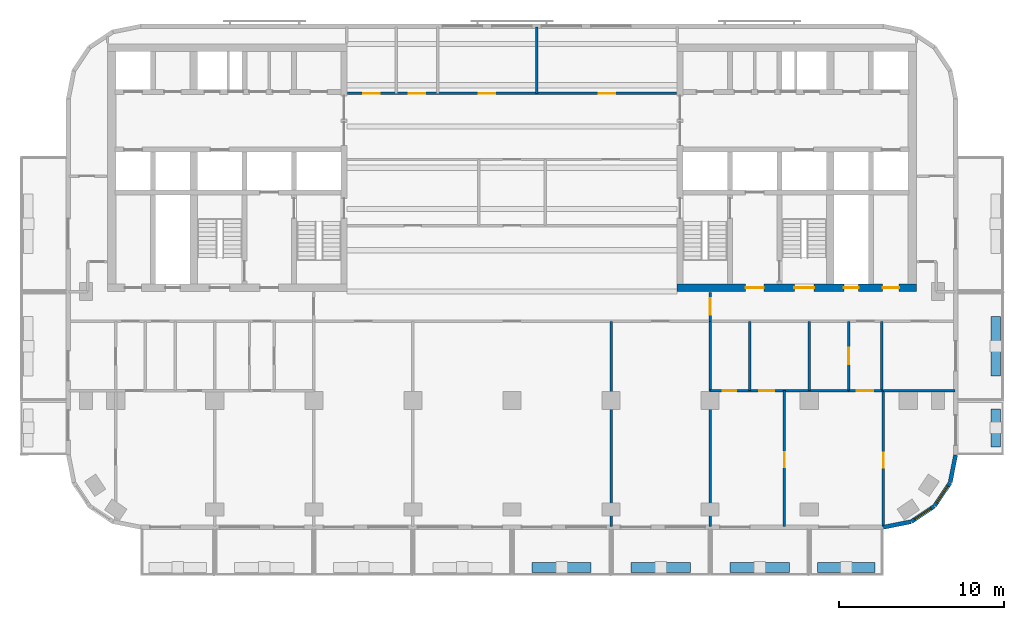
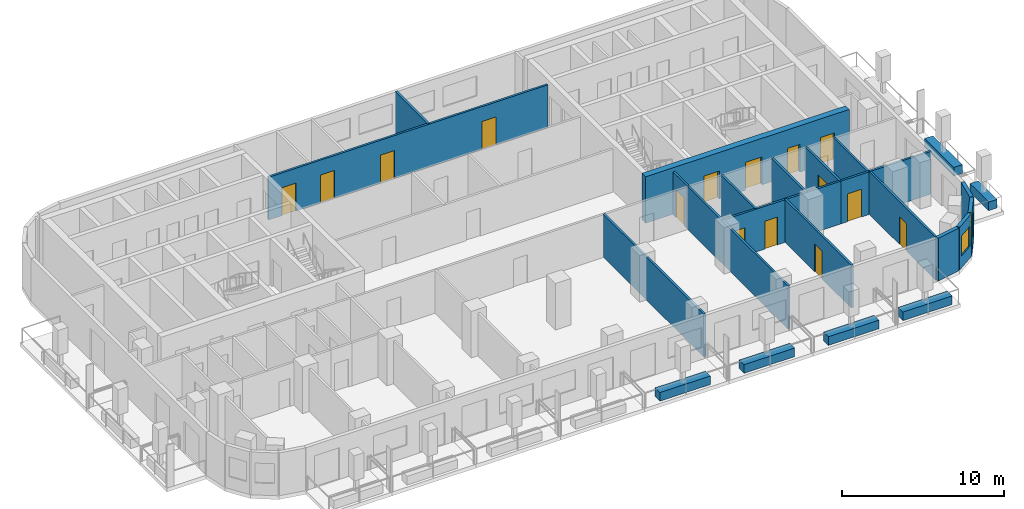
# One storey, part 5 of 11: 25 walls, 15 doors, 2 windows, 17 openings.
"""IFC4 building model written with IfcOpenShell, lengths in metres."""

from ifc_helpers import new_model, si_unit, direction, frame, frame_2d, origin, place, context, subcontext, project, spatial, rectangle, extrude, material, layer, layer_set, type_object, element, fill, save


model = new_model("IFC4")

# Units and contexts
model_context = context("Model", 3, precision=1e-05, world=origin(), true_north=direction((0.0, 1.0)))
body_context = subcontext(model_context, "Body", "Model", "MODEL_VIEW")
ifc_project = project(units=[si_unit("LENGTHUNIT", "METRE"), si_unit("AREAUNIT", "SQUARE_METRE"), si_unit("VOLUMEUNIT", "CUBIC_METRE"), si_unit("PLANEANGLEUNIT", "RADIAN"), si_unit("MASSUNIT", "GRAM", prefix="KILO")], contexts=[model_context])

# Site, building, storey
site_placement = place(None, origin())
site = spatial("IfcSite", under=ifc_project, at=site_placement, CompositionType="ELEMENT")
building_placement = place(site_placement, origin())
building = spatial("IfcBuilding", under=site, at=building_placement, Name="Torana Hotel and Residences", CompositionType="ELEMENT")
storey_placement = place(building_placement, frame((0.0, 0.0, 215.10009765625)))
storey = spatial("IfcBuildingStorey", under=building, at=storey_placement, Name="L56", CompositionType="ELEMENT", Elevation=215.10009765625)

# Wall, openings, doors
ifc_material_1 = material(Name="Concrete C70/85", Category="concrete")
ifc_layer_1 = layer(ifc_material_1, 0.449951171875)
ifc_layer_set_1 = layer_set([ifc_layer_1], Name="CORE WALL 450 C70/85")
wall_type_1 = type_object("IfcWallType", Name="CORE WALL 450 C70/85", PredefinedType="SHEAR", material=ifc_layer_set_1)
wall_1_placement = place(storey_placement, frame((10.0, -14.77490234375, 0.0), z_axis=(0.0, 0.0, 1.0), x_axis=(1.0, 0.0, 0.0)))
wall_1 = element("IfcWall", 1, at=wall_1_placement, inside=storey, type_object=wall_type_1, Name="Core wall E front", PredefinedType="SHEAR", context=body_context, shape_type="SweptSolid", body=[
    extrude(rectangle(XDim=14.5, YDim=0.449951171875, at=frame_2d((7.25, 0.0))), origin(), (0.0, 0.0, 1.0), 3.5),
])
opening_1_placement = place(wall_1_placement, frame((7.10009765625, 0.0, 0.0)))
opening_1 = element("IfcOpeningElement", 2, at=opening_1_placement, cuts=wall_1, Name="Opening L56-19", PredefinedType="OPENING", context=body_context, shape_type="SweptSolid", body=[
    extrude(rectangle(XDim=1.199951171875, YDim=2.10009765625, at=frame_2d((0.60009765625, 1.050048828125))), frame((0.0, 0.23486328125, 0.0), z_axis=(0.0, -1.0, 0.0), x_axis=(1.0, 0.0, 0.0)), (0.0, 0.0, 1.0), 0.469970703125),
])
opening_2_placement = place(wall_1_placement, frame((4.14990234375, 0.0, 0.0)))
opening_2 = element("IfcOpeningElement", 3, at=opening_2_placement, cuts=wall_1, Name="Opening L56-20", PredefinedType="OPENING", context=body_context, shape_type="SweptSolid", body=[
    extrude(rectangle(XDim=1.10009765625, YDim=2.10009765625, at=frame_2d((0.550048828125, 1.050048828125))), frame((0.0, 0.23486328125, 0.0), z_axis=(0.0, -1.0, 0.0), x_axis=(1.0, 0.0, 0.0)), (0.0, 0.0, 1.0), 0.469970703125),
])
opening_3_placement = place(wall_1_placement, frame((10.10009765625, 0.0, 0.0)))
opening_3 = element("IfcOpeningElement", 4, at=opening_3_placement, cuts=wall_1, Name="Opening L56-21", PredefinedType="OPENING", context=body_context, shape_type="SweptSolid", body=[
    extrude(rectangle(XDim=0.89990234375, YDim=2.10009765625, at=frame_2d((0.449951171875, 1.050048828125))), frame((0.0, 0.23486328125, 0.0), z_axis=(0.0, -1.0, 0.0), x_axis=(1.0, 0.0, 0.0)), (0.0, 0.0, 1.0), 0.469970703125),
])
opening_4_placement = place(wall_1_placement, frame((12.449951171875, 0.0, 0.0)))
opening_4 = element("IfcOpeningElement", 5, at=opening_4_placement, cuts=wall_1, Name="Opening L56-22", PredefinedType="OPENING", context=body_context, shape_type="SweptSolid", body=[
    extrude(rectangle(XDim=1.0, YDim=2.10009765625, at=frame_2d((0.5, 1.050048828125))), frame((0.0, 0.23486328125, 0.0), z_axis=(0.0, -1.0, 0.0), x_axis=(1.0, 0.0, 0.0)), (0.0, 0.0, 1.0), 0.469970703125),
])
ifc_material_2 = material(Name="Steel S235", Category="steel")
door_type_1 = type_object("IfcDoorType", Name="CORE ROOM FIRE DOOR D14 1000x2100", OperationType="SINGLE_SWING_LEFT", PredefinedType="DOOR", material=ifc_material_2)
door_1_placement = place(opening_4_placement, origin())
door_1 = element("IfcDoor", 6, at=door_1_placement, inside=storey, type_object=door_type_1, Name="M-Room door L56", OperationType="SINGLE_SWING_RIGHT", OverallHeight=2.10009765625, OverallWidth=1.0, PredefinedType="DOOR", context=body_context, shape_type="SweptSolid", body=[
    extrude(rectangle(XDim=1.0, YDim=2.10009765625, at=frame_2d((0.5, 1.050048828125))), frame((0.0, 0.02490234375, 0.0), z_axis=(0.0, -1.0, 0.0), x_axis=(1.0, 0.0, 0.0)), (0.0, 0.0, 1.0), 0.050048828125),
])
fill(opening_4, door_1)
ifc_material_3 = material(Name="Steel S235", Category="steel")
door_type_2 = type_object("IfcDoorType", Name="FIRE-FIGHTING LOBBY DOOR D8 1100x2100", OperationType="SINGLE_SWING_LEFT", PredefinedType="DOOR", material=ifc_material_3)
door_2_placement = place(opening_2_placement, origin())
door_2 = element("IfcDoor", 7, at=door_2_placement, inside=storey, type_object=door_type_2, Name="FF-lobby door L56", OperationType="SINGLE_SWING_RIGHT", OverallHeight=2.10009765625, OverallWidth=1.10009765625, PredefinedType="DOOR", context=body_context, shape_type="SweptSolid", body=[
    extrude(rectangle(XDim=1.10009765625, YDim=2.10009765625, at=frame_2d((0.550048828125, 1.050048828125))), frame((0.0, 0.02490234375, 0.0), z_axis=(0.0, -1.0, 0.0), x_axis=(1.0, 0.0, 0.0)), (0.0, 0.0, 1.0), 0.050048828125),
])
fill(opening_2, door_2)
ifc_material_4 = material(Name="Steel S235", Category="steel")
door_type_3 = type_object("IfcDoorType", Name="RISER ACCESS DOOR D5 900x2100", OperationType="SINGLE_SWING_LEFT", PredefinedType="DOOR", material=ifc_material_4)
door_3_placement = place(opening_3_placement, origin())
door_3 = element("IfcDoor", 8, at=door_3_placement, inside=storey, type_object=door_type_3, Name="M-Riser door L56", OperationType="SINGLE_SWING_RIGHT", OverallHeight=2.10009765625, OverallWidth=0.89990234375, PredefinedType="DOOR", context=body_context, shape_type="SweptSolid", body=[
    extrude(rectangle(XDim=0.89990234375, YDim=2.10009765625, at=frame_2d((0.449951171875, 1.050048828125))), frame((0.0, 0.02490234375, 0.0), z_axis=(0.0, -1.0, 0.0), x_axis=(1.0, 0.0, 0.0)), (0.0, 0.0, 1.0), 0.050048828125),
])
fill(opening_3, door_3)
ifc_material_5 = material(Name="Steel S235", Category="steel")
door_type_4 = type_object("IfcDoorType", Name="STAIR FIRE DOOR D3 1200x2100", OperationType="SINGLE_SWING_LEFT", PredefinedType="DOOR", material=ifc_material_5)
door_4_placement = place(opening_1_placement, origin())
door_4 = element("IfcDoor", 9, at=door_4_placement, inside=storey, type_object=door_type_4, Name="Stair-B door L56", OperationType="SINGLE_SWING_RIGHT", OverallHeight=2.10009765625, OverallWidth=1.199951171875, PredefinedType="DOOR", context=body_context, shape_type="SweptSolid", body=[
    extrude(rectangle(XDim=1.199951171875, YDim=2.10009765625, at=frame_2d((0.60009765625, 1.050048828125))), frame((0.0, 0.02490234375, 0.0), z_axis=(0.0, -1.0, 0.0), x_axis=(1.0, 0.0, 0.0)), (0.0, 0.0, 1.0), 0.050048828125),
])
fill(opening_1, door_4)

# Wall
ifc_material_6 = material(Name="Black aluminium composite panel", Category="aluminium")
ifc_layer_2 = layer(ifc_material_6, 0.00390625, Name="Cladding", Category="cladding")
ifc_material_7 = material(Name="Ventilated air cavity")
ifc_layer_3 = layer(ifc_material_7, 0.0400390625, Name="Ventilated cavity", Category="cavity")
ifc_material_8 = material(Name="Mineral wool insulation")
ifc_layer_4 = layer(ifc_material_8, 0.090087890625, Name="Insulation", Category="insulation")
ifc_material_9 = material(Name="Steel S280GD", Category="steel")
ifc_layer_5 = layer(ifc_material_9, 0.092041015625, Name="Steel stud frame", Category="structure")
ifc_material_10 = material(Name="Fire rated plasterboard")
ifc_layer_6 = layer(ifc_material_10, 0.011962890625, Name="Inner board", Category="finish")
ifc_layer_7 = layer(ifc_material_10, 0.011962890625, Name="Second board", Category="finish")
ifc_layer_set_2 = layer_set([ifc_layer_2, ifc_layer_3, ifc_layer_4, ifc_layer_5, ifc_layer_6, ifc_layer_7], Name="EW1 EXTERNAL WALL BLACK METAL CLAD 250")
wall_type_2 = type_object("IfcWallType", Name="EW1 EXTERNAL WALL BLACK METAL CLAD 250", PredefinedType="SOLIDWALL", material=ifc_layer_set_2)
wall_2_placement = place(storey_placement, frame((22.499755859375, -29.272705078125, 0.0), z_axis=(0.0, 0.0, 1.0), x_axis=(0.980775640221, 0.19513878023, 0.0)))
element("IfcWall", 10, at=wall_2_placement, inside=storey, type_object=wall_type_2, Name="External wall L56 e0.15", PredefinedType="SOLIDWALL", context=body_context, shape_type="SweptSolid", body=[
    extrude(rectangle(XDim=1.681396484375, YDim=0.25, at=frame_2d((0.8408203125, 0.0))), origin(), (0.0, 0.0, 1.0), 3.219970703125),
])

# Wall, opening, window
wall_3_placement = place(storey_placement, frame((24.194091796875, -28.92578125, 0.0), z_axis=(0.0, 0.0, 1.0), x_axis=(0.831482937015, 0.55555029066, 0.0)))
wall_3 = element("IfcWall", 11, at=wall_3_placement, inside=storey, type_object=wall_type_2, Name="External wall L56 e0.16", PredefinedType="SOLIDWALL", context=body_context, shape_type="SweptSolid", body=[
    extrude(rectangle(XDim=1.65625, YDim=0.25, at=frame_2d((0.828125, 0.0))), origin(), (0.0, 0.0, 1.0), 3.219970703125),
])
opening_5_placement = place(wall_3_placement, frame((0.228271484375, 0.0, 0.89990234375)))
opening_5 = element("IfcOpeningElement", 12, at=opening_5_placement, cuts=wall_3, Name="Opening W5", PredefinedType="OPENING", context=body_context, shape_type="SweptSolid", body=[
    extrude(rectangle(XDim=1.199951171875, YDim=1.5, at=frame_2d((0.60009765625, 0.75))), frame((0.0, 0.135009765625, 0.0), z_axis=(0.0, -1.0, 0.0), x_axis=(1.0, 0.0, 0.0)), (0.0, 0.0, 1.0), 0.27001953125),
])
ifc_material_11 = material(Name="Dark glass in black aluminium frame", Category="aluminium")
window_type = type_object("IfcWindowType", Name="W5 CORNER FACET WINDOW 1200x1500", PartitioningType="SINGLE_PANEL", PredefinedType="WINDOW", material=ifc_material_11)
window_1_placement = place(opening_5_placement, origin())
window_1 = element("IfcWindow", 13, at=window_1_placement, inside=storey, type_object=window_type, Name="Window L56 e0.16", OverallHeight=1.5, OverallWidth=1.199951171875, PartitioningType="SINGLE_PANEL", PredefinedType="WINDOW", context=body_context, shape_type="SweptSolid", body=[
    extrude(rectangle(XDim=1.199951171875, YDim=1.5, at=frame_2d((0.60009765625, 0.75))), frame((0.0, 0.030029296875, 0.0), z_axis=(0.0, -1.0, 0.0), x_axis=(1.0, 0.0, 0.0)), (0.0, 0.0, 1.0), 0.06005859375),
])
fill(opening_5, window_1)

wall_4_placement = place(storey_placement, frame((25.605712890625, -27.97119140625, 0.0), z_axis=(0.0, 0.0, 1.0), x_axis=(0.55555029066, 0.831482937015, 0.0)))
wall_4 = element("IfcWall", 14, at=wall_4_placement, inside=storey, type_object=wall_type_2, Name="External wall L56 e0.17", PredefinedType="SOLIDWALL", context=body_context, shape_type="SweptSolid", body=[
    extrude(rectangle(XDim=1.65625, YDim=0.25, at=frame_2d((0.828125, 0.0))), origin(), (0.0, 0.0, 1.0), 3.219970703125),
])
opening_6_placement = place(wall_4_placement, frame((0.228271484375, 0.0, 0.89990234375)))
opening_6 = element("IfcOpeningElement", 15, at=opening_6_placement, cuts=wall_4, Name="Opening W5", PredefinedType="OPENING", context=body_context, shape_type="SweptSolid", body=[
    extrude(rectangle(XDim=1.199951171875, YDim=1.5, at=frame_2d((0.60009765625, 0.75))), frame((0.0, 0.135009765625, 0.0), z_axis=(0.0, -1.0, 0.0), x_axis=(1.0, 0.0, 0.0)), (0.0, 0.0, 1.0), 0.27001953125),
])
window_2_placement = place(opening_6_placement, origin())
window_2 = element("IfcWindow", 16, at=window_2_placement, inside=storey, type_object=window_type, Name="Window L56 e0.17", OverallHeight=1.5, OverallWidth=1.199951171875, PartitioningType="SINGLE_PANEL", PredefinedType="WINDOW", context=body_context, shape_type="SweptSolid", body=[
    extrude(rectangle(XDim=1.199951171875, YDim=1.5, at=frame_2d((0.60009765625, 0.75))), frame((0.0, 0.030029296875, 0.0), z_axis=(0.0, -1.0, 0.0), x_axis=(1.0, 0.0, 0.0)), (0.0, 0.0, 1.0), 0.06005859375),
])
fill(opening_6, window_2)

# Walls
wall_5_placement = place(storey_placement, frame((26.544677734375, -26.548828125, 0.0), z_axis=(0.0, 0.0, 1.0), x_axis=(0.195026884138, 0.980797896849, 0.0)))
element("IfcWall", 17, at=wall_5_placement, inside=storey, type_object=wall_type_2, Name="External wall L56 e0.18", PredefinedType="SOLIDWALL", context=body_context, shape_type="SweptSolid", body=[
    extrude(rectangle(XDim=1.68115234375, YDim=0.25, at=frame_2d((0.840576171875, 0.0))), origin(), (0.0, 0.0, 1.0), 3.219970703125),
])
ifc_material_12 = material(Name="Gypsum plaster")
ifc_layer_8 = layer(ifc_material_12, 0.014892578125, Name="Plaster", Category="finish")
ifc_material_13 = material(Name="Concrete blockwork", Category="masonry")
ifc_layer_9 = layer(ifc_material_13, 0.1201171875, Name="Blockwork", Category="structure")
ifc_layer_10 = layer(ifc_material_12, 0.014892578125, Name="Plaster", Category="finish")
ifc_layer_set_3 = layer_set([ifc_layer_8, ifc_layer_9, ifc_layer_10], Name="FIRE PARTITION 150 BLOCKWORK")
wall_type_3 = type_object("IfcWallType", Name="FIRE PARTITION 150 BLOCKWORK", PredefinedType="PARTITIONING", material=ifc_layer_set_3)
wall_6_placement = place(storey_placement, frame((22.39990234375, -21.0, 0.0), z_axis=(0.0, 0.0, 1.0), x_axis=(0.0, 1.0, 0.0)))
element("IfcWall", 18, at=wall_6_placement, inside=storey, type_object=wall_type_3, Name="Partition L56", PredefinedType="PARTITIONING", context=body_context, shape_type="SweptSolid", body=[
    extrude(rectangle(XDim=4.199951171875, YDim=0.14990234375, at=frame_2d((2.10009765625, 0.0))), origin(), (0.0, 0.0, 1.0), 3.219970703125),
])

# Wall, opening, door
wall_7_placement = place(storey_placement, frame((20.39990234375, -21.0, 0.0), z_axis=(0.0, 0.0, 1.0), x_axis=(0.0, 1.0, 0.0)))
wall_7 = element("IfcWall", 19, at=wall_7_placement, inside=storey, type_object=wall_type_3, Name="Partition L56", PredefinedType="PARTITIONING", context=body_context, shape_type="SweptSolid", body=[
    extrude(rectangle(XDim=4.199951171875, YDim=0.14990234375, at=frame_2d((2.10009765625, 0.0))), origin(), (0.0, 0.0, 1.0), 3.219970703125),
])
opening_7_placement = place(wall_7_placement, frame((1.60009765625, 0.0, 0.0)))
opening_7 = element("IfcOpeningElement", 20, at=opening_7_placement, cuts=wall_7, Name="Opening L56-60", PredefinedType="OPENING", context=body_context, shape_type="SweptSolid", body=[
    extrude(rectangle(XDim=1.0, YDim=2.10009765625, at=frame_2d((0.5, 1.050048828125))), frame((0.0, 0.0849609375, 0.0), z_axis=(0.0, -1.0, 0.0), x_axis=(1.0, 0.0, 0.0)), (0.0, 0.0, 1.0), 0.169921875),
])
ifc_material_14 = material(Name="Steel S235", Category="steel")
door_type_5 = type_object("IfcDoorType", Name="ENTRY FIRE DOOR D6 1000x2100", OperationType="SINGLE_SWING_LEFT", PredefinedType="DOOR", material=ifc_material_14)
door_5_placement = place(opening_7_placement, origin())
door_5 = element("IfcDoor", 21, at=door_5_placement, inside=storey, type_object=door_type_5, Name="Door L56", OperationType="SINGLE_SWING_RIGHT", OverallHeight=2.10009765625, OverallWidth=1.0, PredefinedType="DOOR", context=body_context, shape_type="SweptSolid", body=[
    extrude(rectangle(XDim=1.0, YDim=2.10009765625, at=frame_2d((0.5, 1.050048828125))), frame((0.0, 0.02490234375, 0.0), z_axis=(0.0, -1.0, 0.0), x_axis=(1.0, 0.0, 0.0)), (0.0, 0.0, 1.0), 0.050048828125),
])
fill(opening_7, door_5)

wall_8_placement = place(storey_placement, frame((12.0, -16.800048828125, 0.0), z_axis=(0.0, 0.0, 1.0), x_axis=(0.0, 1.0, 0.0)))
wall_8 = element("IfcWall", 22, at=wall_8_placement, inside=storey, type_object=wall_type_3, Name="Partition L56", PredefinedType="PARTITIONING", context=body_context, shape_type="SweptSolid", body=[
    extrude(rectangle(XDim=1.75, YDim=0.14990234375, at=frame_2d((0.875, 0.0))), origin(), (0.0, 0.0, 1.0), 3.219970703125),
])
opening_8_placement = place(wall_8_placement, frame((0.39990234375, 0.0, 0.0)))
opening_8 = element("IfcOpeningElement", 23, at=opening_8_placement, cuts=wall_8, Name="Opening L56-36", PredefinedType="OPENING", context=body_context, shape_type="SweptSolid", body=[
    extrude(rectangle(XDim=1.0, YDim=2.10009765625, at=frame_2d((0.5, 1.050048828125))), frame((0.0, 0.0849609375, 0.0), z_axis=(0.0, -1.0, 0.0), x_axis=(1.0, 0.0, 0.0)), (0.0, 0.0, 1.0), 0.169921875),
])
door_6_placement = place(opening_8_placement, origin())
door_6 = element("IfcDoor", 24, at=door_6_placement, inside=storey, type_object=door_type_5, Name="Door L56", OperationType="SINGLE_SWING_RIGHT", OverallHeight=2.10009765625, OverallWidth=1.0, PredefinedType="DOOR", context=body_context, shape_type="SweptSolid", body=[
    extrude(rectangle(XDim=1.0, YDim=2.10009765625, at=frame_2d((0.5, 1.050048828125))), frame((0.0, 0.02490234375, 0.0), z_axis=(0.0, -1.0, 0.0), x_axis=(1.0, 0.0, 0.0)), (0.0, 0.0, 1.0), 0.050048828125),
])
fill(opening_8, door_6)

wall_9_placement = place(storey_placement, frame((20.39990234375, -21.0, 0.0), z_axis=(0.0, 0.0, 1.0), x_axis=(1.0, 0.0, 0.0)))
wall_9 = element("IfcWall", 25, at=wall_9_placement, inside=storey, type_object=wall_type_3, Name="Partition L56", PredefinedType="PARTITIONING", context=body_context, shape_type="SweptSolid", body=[
    extrude(rectangle(XDim=2.0, YDim=0.14990234375, at=frame_2d((1.0, 0.0))), origin(), (0.0, 0.0, 1.0), 3.219970703125),
])
opening_9_placement = place(wall_9_placement, frame((0.47998046875, 0.0, 0.0)))
opening_9 = element("IfcOpeningElement", 26, at=opening_9_placement, cuts=wall_9, Name="Opening L56-61", PredefinedType="OPENING", context=body_context, shape_type="SweptSolid", body=[
    extrude(rectangle(XDim=1.0, YDim=2.10009765625, at=frame_2d((0.5, 1.050048828125))), frame((0.0, 0.0849609375, 0.0), z_axis=(0.0, -1.0, 0.0), x_axis=(1.0, 0.0, 0.0)), (0.0, 0.0, 1.0), 0.169921875),
])
door_7_placement = place(opening_9_placement, frame((0.5, 0.0, 0.0), z_axis=(0.0, 0.0, 1.0), x_axis=(-1.0, 0.0, 0.0)))
door_7 = element("IfcDoor", 27, at=door_7_placement, inside=storey, type_object=door_type_5, Name="Door L56", OperationType="SINGLE_SWING_RIGHT", OverallHeight=2.10009765625, OverallWidth=1.0, PredefinedType="DOOR", context=body_context, shape_type="SweptSolid", body=[
    extrude(rectangle(XDim=1.0, YDim=2.10009765625, at=frame_2d((0.0, 1.050048828125))), frame((0.0, -0.02490234375, 0.0), z_axis=(0.0, 1.0, 0.0), x_axis=(-1.0, 0.0, 0.0)), (0.0, 0.0, 1.0), 0.050048828125),
])
fill(opening_9, door_7)

# Wall, openings, doors
wall_10_placement = place(storey_placement, frame((-9.949951171875, -3.0, 0.0), z_axis=(0.0, 0.0, 1.0), x_axis=(1.0, 0.0, 0.0)))
wall_10 = element("IfcWall", 28, at=wall_10_placement, inside=storey, type_object=wall_type_3, Name="Partition L56", PredefinedType="PARTITIONING", context=body_context, shape_type="SweptSolid", body=[
    extrude(rectangle(XDim=19.89990234375, YDim=0.14990234375, at=frame_2d((9.949951171875, 0.0))), origin(), (0.0, 0.0, 1.0), 3.219970703125),
])
opening_10_placement = place(wall_10_placement, frame((0.949951171875, 0.0, 0.0)))
opening_10 = element("IfcOpeningElement", 29, at=opening_10_placement, cuts=wall_10, Name="Opening L56-47", PredefinedType="OPENING", context=body_context, shape_type="SweptSolid", body=[
    extrude(rectangle(XDim=1.0, YDim=2.10009765625, at=frame_2d((0.5, 1.050048828125))), frame((0.0, 0.0849609375, 0.0), z_axis=(0.0, -1.0, 0.0), x_axis=(1.0, 0.0, 0.0)), (0.0, 0.0, 1.0), 0.169921875),
])
opening_11_placement = place(wall_10_placement, frame((3.699951171875, 0.0, 0.0)))
opening_11 = element("IfcOpeningElement", 30, at=opening_11_placement, cuts=wall_10, Name="Opening L56-48", PredefinedType="OPENING", context=body_context, shape_type="SweptSolid", body=[
    extrude(rectangle(XDim=1.0, YDim=2.10009765625, at=frame_2d((0.5, 1.050048828125))), frame((0.0, 0.0849609375, 0.0), z_axis=(0.0, -1.0, 0.0), x_axis=(1.0, 0.0, 0.0)), (0.0, 0.0, 1.0), 0.169921875),
])
opening_12_placement = place(wall_10_placement, frame((7.949951171875, 0.0, 0.0)))
opening_12 = element("IfcOpeningElement", 31, at=opening_12_placement, cuts=wall_10, Name="Opening L56-49", PredefinedType="OPENING", context=body_context, shape_type="SweptSolid", body=[
    extrude(rectangle(XDim=1.0, YDim=2.10009765625, at=frame_2d((0.5, 1.050048828125))), frame((0.0, 0.0849609375, 0.0), z_axis=(0.0, -1.0, 0.0), x_axis=(1.0, 0.0, 0.0)), (0.0, 0.0, 1.0), 0.169921875),
])
opening_13_placement = place(wall_10_placement, frame((15.199951171875, 0.0, 0.0)))
opening_13 = element("IfcOpeningElement", 32, at=opening_13_placement, cuts=wall_10, Name="Opening L56-50", PredefinedType="OPENING", context=body_context, shape_type="SweptSolid", body=[
    extrude(rectangle(XDim=1.0, YDim=2.10009765625, at=frame_2d((0.5, 1.050048828125))), frame((0.0, 0.0849609375, 0.0), z_axis=(0.0, -1.0, 0.0), x_axis=(1.0, 0.0, 0.0)), (0.0, 0.0, 1.0), 0.169921875),
])
door_8_placement = place(opening_10_placement, origin())
door_8 = element("IfcDoor", 33, at=door_8_placement, inside=storey, type_object=door_type_5, Name="Door L56", OperationType="SINGLE_SWING_RIGHT", OverallHeight=2.10009765625, OverallWidth=1.0, PredefinedType="DOOR", context=body_context, shape_type="SweptSolid", body=[
    extrude(rectangle(XDim=1.0, YDim=2.10009765625, at=frame_2d((0.5, 1.050048828125))), frame((0.0, 0.02490234375, 0.0), z_axis=(0.0, -1.0, 0.0), x_axis=(1.0, 0.0, 0.0)), (0.0, 0.0, 1.0), 0.050048828125),
])
fill(opening_10, door_8)
door_9_placement = place(opening_11_placement, origin())
door_9 = element("IfcDoor", 34, at=door_9_placement, inside=storey, type_object=door_type_5, Name="Door L56", OperationType="SINGLE_SWING_RIGHT", OverallHeight=2.10009765625, OverallWidth=1.0, PredefinedType="DOOR", context=body_context, shape_type="SweptSolid", body=[
    extrude(rectangle(XDim=1.0, YDim=2.10009765625, at=frame_2d((0.5, 1.050048828125))), frame((0.0, 0.02490234375, 0.0), z_axis=(0.0, -1.0, 0.0), x_axis=(1.0, 0.0, 0.0)), (0.0, 0.0, 1.0), 0.050048828125),
])
fill(opening_11, door_9)
door_10_placement = place(opening_12_placement, origin())
door_10 = element("IfcDoor", 35, at=door_10_placement, inside=storey, type_object=door_type_5, Name="Door L56", OperationType="SINGLE_SWING_RIGHT", OverallHeight=2.10009765625, OverallWidth=1.0, PredefinedType="DOOR", context=body_context, shape_type="SweptSolid", body=[
    extrude(rectangle(XDim=1.0, YDim=2.10009765625, at=frame_2d((0.5, 1.050048828125))), frame((0.0, 0.02490234375, 0.0), z_axis=(0.0, -1.0, 0.0), x_axis=(1.0, 0.0, 0.0)), (0.0, 0.0, 1.0), 0.050048828125),
])
fill(opening_12, door_10)
door_11_placement = place(opening_13_placement, origin())
door_11 = element("IfcDoor", 36, at=door_11_placement, inside=storey, type_object=door_type_5, Name="Door L56", OperationType="SINGLE_SWING_RIGHT", OverallHeight=2.10009765625, OverallWidth=1.0, PredefinedType="DOOR", context=body_context, shape_type="SweptSolid", body=[
    extrude(rectangle(XDim=1.0, YDim=2.10009765625, at=frame_2d((0.5, 1.050048828125))), frame((0.0, 0.02490234375, 0.0), z_axis=(0.0, -1.0, 0.0), x_axis=(1.0, 0.0, 0.0)), (0.0, 0.0, 1.0), 0.050048828125),
])
fill(opening_13, door_11)

# Wall, opening, door
ifc_material_15 = material(Name="Gypsum plasterboard")
ifc_layer_11 = layer(ifc_material_15, 0.012451171875, Name="Plasterboard", Category="finish")
ifc_layer_12 = layer(ifc_material_15, 0.012451171875, Name="Plasterboard", Category="finish")
ifc_layer_13 = layer(ifc_material_9, 0.10009765625, Name="Steel studs with mineral wool", Category="insulation")
ifc_layer_14 = layer(ifc_material_15, 0.012451171875, Name="Plasterboard", Category="finish")
ifc_layer_15 = layer(ifc_material_15, 0.012451171875, Name="Plasterboard", Category="finish")
ifc_layer_set_4 = layer_set([ifc_layer_11, ifc_layer_12, ifc_layer_13, ifc_layer_14, ifc_layer_15], Name="PARTITION 150 PLASTERBOARD")
wall_type_4 = type_object("IfcWallType", Name="PARTITION 150 PLASTERBOARD", PredefinedType="PARTITIONING", material=ifc_layer_set_4)
wall_11_placement = place(storey_placement, frame((22.5, -29.216552734375, 0.0), z_axis=(0.0, 0.0, 1.0), x_axis=(0.0, 1.0, 0.0)))
wall_11 = element("IfcWall", 37, at=wall_11_placement, inside=storey, type_object=wall_type_4, Name="Partition L56", PredefinedType="PARTITIONING", context=body_context, shape_type="SweptSolid", body=[
    extrude(rectangle(XDim=8.216552734375, YDim=0.14990234375, at=frame_2d((4.1083984375, 0.0))), origin(), (0.0, 0.0, 1.0), 3.219970703125),
])
opening_14_placement = place(wall_11_placement, frame((3.54638671875, 0.0, 0.0)))
opening_14 = element("IfcOpeningElement", 38, at=opening_14_placement, cuts=wall_11, Name="Opening L56-63", PredefinedType="OPENING", context=body_context, shape_type="SweptSolid", body=[
    extrude(rectangle(XDim=0.89990234375, YDim=2.10009765625, at=frame_2d((0.449951171875, 1.050048828125))), frame((0.0, 0.0849609375, 0.0), z_axis=(0.0, -1.0, 0.0), x_axis=(1.0, 0.0, 0.0)), (0.0, 0.0, 1.0), 0.169921875),
])
ifc_material_16 = material(Name="Timber door, oiled ash", Category="wood")
door_type_6 = type_object("IfcDoorType", Name="ROOM DOOR D7 900x2100", OperationType="SINGLE_SWING_LEFT", PredefinedType="DOOR", material=ifc_material_16)
door_12_placement = place(opening_14_placement, origin())
door_12 = element("IfcDoor", 39, at=door_12_placement, inside=storey, type_object=door_type_6, Name="Door L56", OperationType="SINGLE_SWING_RIGHT", OverallHeight=2.10009765625, OverallWidth=0.89990234375, PredefinedType="DOOR", context=body_context, shape_type="SweptSolid", body=[
    extrude(rectangle(XDim=0.89990234375, YDim=2.10009765625, at=frame_2d((0.449951171875, 1.050048828125))), frame((0.0, 0.02490234375, 0.0), z_axis=(0.0, -1.0, 0.0), x_axis=(1.0, 0.0, 0.0)), (0.0, 0.0, 1.0), 0.050048828125),
])
fill(opening_14, door_12)

# Wall
wall_12_placement = place(storey_placement, frame((18.0, -21.0, 0.0), z_axis=(0.0, 0.0, 1.0), x_axis=(0.0, 1.0, 0.0)))
element("IfcWall", 40, at=wall_12_placement, inside=storey, type_object=wall_type_4, Name="Partition L56", PredefinedType="PARTITIONING", context=body_context, shape_type="SweptSolid", body=[
    extrude(rectangle(XDim=4.199951171875, YDim=0.14990234375, at=frame_2d((2.10009765625, 0.0))), origin(), (0.0, 0.0, 1.0), 3.219970703125),
])

# Wall, opening, door
wall_13_placement = place(storey_placement, frame((16.5, -29.219970703125, 0.0), z_axis=(0.0, 0.0, 1.0), x_axis=(0.0, 1.0, 0.0)))
wall_13 = element("IfcWall", 41, at=wall_13_placement, inside=storey, type_object=wall_type_4, Name="Partition L56", PredefinedType="PARTITIONING", context=body_context, shape_type="SweptSolid", body=[
    extrude(rectangle(XDim=8.219970703125, YDim=0.14990234375, at=frame_2d((4.10986328125, 0.0))), origin(), (0.0, 0.0, 1.0), 3.219970703125),
])
opening_15_placement = place(wall_13_placement, frame((3.590087890625, 0.0, 0.0)))
opening_15 = element("IfcOpeningElement", 42, at=opening_15_placement, cuts=wall_13, Name="Opening L56-62", PredefinedType="OPENING", context=body_context, shape_type="SweptSolid", body=[
    extrude(rectangle(XDim=0.89990234375, YDim=2.10009765625, at=frame_2d((0.449951171875, 1.050048828125))), frame((0.0, 0.0849609375, 0.0), z_axis=(0.0, -1.0, 0.0), x_axis=(1.0, 0.0, 0.0)), (0.0, 0.0, 1.0), 0.169921875),
])
door_13_placement = place(opening_15_placement, origin())
door_13 = element("IfcDoor", 43, at=door_13_placement, inside=storey, type_object=door_type_6, Name="Door L56", OperationType="SINGLE_SWING_RIGHT", OverallHeight=2.10009765625, OverallWidth=0.89990234375, PredefinedType="DOOR", context=body_context, shape_type="SweptSolid", body=[
    extrude(rectangle(XDim=0.89990234375, YDim=2.10009765625, at=frame_2d((0.449951171875, 1.050048828125))), frame((0.0, 0.02490234375, 0.0), z_axis=(0.0, -1.0, 0.0), x_axis=(1.0, 0.0, 0.0)), (0.0, 0.0, 1.0), 0.050048828125),
])
fill(opening_15, door_13)

# Walls
wall_14_placement = place(storey_placement, frame((14.39990234375, -21.0, 0.0), z_axis=(0.0, 0.0, 1.0), x_axis=(0.0, 1.0, 0.0)))
element("IfcWall", 44, at=wall_14_placement, inside=storey, type_object=wall_type_4, Name="Partition L56", PredefinedType="PARTITIONING", context=body_context, shape_type="SweptSolid", body=[
    extrude(rectangle(XDim=4.199951171875, YDim=0.14990234375, at=frame_2d((2.10009765625, 0.0))), origin(), (0.0, 0.0, 1.0), 3.219970703125),
])
for number, where, z_axis, x_axis, name in (
    (45, (12.0, -29.219970703125, 0.0), (0.0, 0.0, 1.0), (0.0, 1.0, 0.0), "Partition L56"),
    (46, (6.0, -29.219970703125, 0.0), (0.0, 0.0, 1.0), (0.0, 1.0, 0.0), "Partition L56"),
):
    element("IfcWall", number, at=place(storey_placement, frame(where, z_axis=z_axis, x_axis=x_axis)), inside=storey, type_object=wall_type_4, Name=name, PredefinedType="PARTITIONING", context=body_context, shape_type="SweptSolid", body=[
        extrude(rectangle(XDim=12.419921875, YDim=0.14990234375, at=frame_2d((6.2099609375, 0.0))), origin(), (0.0, 0.0, 1.0), 3.219970703125),
    ])
wall_15_placement = place(storey_placement, frame((1.5, -3.0, 0.0), z_axis=(0.0, 0.0, 1.0), x_axis=(0.0, 1.0, 0.0)))
element("IfcWall", 47, at=wall_15_placement, inside=storey, type_object=wall_type_4, Name="Partition L56", PredefinedType="PARTITIONING", context=body_context, shape_type="SweptSolid", body=[
    extrude(rectangle(XDim=4.02001953125, YDim=0.14990234375, at=frame_2d((2.010009765625, 0.0))), origin(), (0.0, 0.0, 1.0), 3.219970703125),
])

# Wall, openings, doors
wall_16_placement = place(storey_placement, frame((12.0, -21.0, 0.0), z_axis=(0.0, 0.0, 1.0), x_axis=(1.0, 0.0, 0.0)))
wall_16 = element("IfcWall", 48, at=wall_16_placement, inside=storey, type_object=wall_type_4, Name="Partition L56", PredefinedType="PARTITIONING", context=body_context, shape_type="SweptSolid", body=[
    extrude(rectangle(XDim=8.39990234375, YDim=0.14990234375, at=frame_2d((4.199951171875, 0.0))), origin(), (0.0, 0.0, 1.0), 3.219970703125),
])
opening_16_placement = place(wall_16_placement, frame((0.780029296875, 0.0, 0.0)))
opening_16 = element("IfcOpeningElement", 49, at=opening_16_placement, cuts=wall_16, Name="Opening L56-58", PredefinedType="OPENING", context=body_context, shape_type="SweptSolid", body=[
    extrude(rectangle(XDim=0.800048828125, YDim=2.10009765625, at=frame_2d((0.39990234375, 1.050048828125))), frame((0.0, 0.0849609375, 0.0), z_axis=(0.0, -1.0, 0.0), x_axis=(1.0, 0.0, 0.0)), (0.0, 0.0, 1.0), 0.169921875),
])
opening_17_placement = place(wall_16_placement, frame((2.97998046875, 0.0, 0.0)))
opening_17 = element("IfcOpeningElement", 50, at=opening_17_placement, cuts=wall_16, Name="Opening L56-59", PredefinedType="OPENING", context=body_context, shape_type="SweptSolid", body=[
    extrude(rectangle(XDim=0.89990234375, YDim=2.10009765625, at=frame_2d((0.449951171875, 1.050048828125))), frame((0.0, 0.0849609375, 0.0), z_axis=(0.0, -1.0, 0.0), x_axis=(1.0, 0.0, 0.0)), (0.0, 0.0, 1.0), 0.169921875),
])
ifc_material_17 = material(Name="Timber door, painted", Category="wood")
door_type_7 = type_object("IfcDoorType", Name="BATH DOOR D13 800x2100", OperationType="SINGLE_SWING_LEFT", PredefinedType="DOOR", material=ifc_material_17)
door_14_placement = place(opening_16_placement, origin())
door_14 = element("IfcDoor", 51, at=door_14_placement, inside=storey, type_object=door_type_7, Name="Door L56", OperationType="SINGLE_SWING_RIGHT", OverallHeight=2.10009765625, OverallWidth=0.800048828125, PredefinedType="DOOR", context=body_context, shape_type="SweptSolid", body=[
    extrude(rectangle(XDim=0.800048828125, YDim=2.10009765625, at=frame_2d((0.39990234375, 1.050048828125))), frame((0.0, 0.02490234375, 0.0), z_axis=(0.0, -1.0, 0.0), x_axis=(1.0, 0.0, 0.0)), (0.0, 0.0, 1.0), 0.050048828125),
])
fill(opening_16, door_14)
door_15_placement = place(opening_17_placement, origin())
door_15 = element("IfcDoor", 52, at=door_15_placement, inside=storey, type_object=door_type_6, Name="Door L56", OperationType="SINGLE_SWING_RIGHT", OverallHeight=2.10009765625, OverallWidth=0.89990234375, PredefinedType="DOOR", context=body_context, shape_type="SweptSolid", body=[
    extrude(rectangle(XDim=0.89990234375, YDim=2.10009765625, at=frame_2d((0.449951171875, 1.050048828125))), frame((0.0, 0.02490234375, 0.0), z_axis=(0.0, -1.0, 0.0), x_axis=(1.0, 0.0, 0.0)), (0.0, 0.0, 1.0), 0.050048828125),
])
fill(opening_17, door_15)

# Walls
wall_17_placement = place(storey_placement, frame((22.5, -21.0, 0.0), z_axis=(0.0, 0.0, 1.0), x_axis=(1.0, 0.0, 0.0)))
element("IfcWall", 53, at=wall_17_placement, inside=storey, type_object=wall_type_4, Name="Partition L56", PredefinedType="PARTITIONING", context=body_context, shape_type="SweptSolid", body=[
    extrude(rectangle(XDim=4.320068359375, YDim=0.14990234375, at=frame_2d((2.16015625, 0.0))), origin(), (0.0, 0.0, 1.0), 3.219970703125),
])
ifc_material_18 = material(Name="Concrete C40/50 precast", Category="concrete")
ifc_layer_16 = layer(ifc_material_18, 0.10009765625, Name="Planter shell", Category="structure")
ifc_material_19 = material(Name="Root resistant membrane")
ifc_layer_17 = layer(ifc_material_19, 0.00390625, Name="Waterproofing membrane", Category="membrane")
ifc_material_20 = material(Name="Drainage board with filter fleece")
ifc_layer_18 = layer(ifc_material_20, 0.02001953125, Name="Drainage board", Category="drainage")
ifc_material_21 = material(Name="Growing medium")
ifc_layer_19 = layer(ifc_material_21, 0.47607421875, Name="Planting substrate", Category="soil")
ifc_layer_set_5 = layer_set([ifc_layer_16, ifc_layer_17, ifc_layer_18, ifc_layer_19], Name="PL1 BALCONY PLANTER 600")
wall_type_5 = type_object("IfcWallType", Name="PL1 BALCONY PLANTER 600", PredefinedType="USERDEFINED", material=ifc_layer_set_5)
for number, where, z_axis, x_axis, name in (
    (54, (4.800048828125, -31.699951171875, 0.0), (0.0, 0.0, 1.0), (-1.0, 0.0, 0.0), "Planter 05"),
    (55, (10.800048828125, -31.699951171875, 0.0), (0.0, 0.0, 1.0), (-1.0, 0.0, 0.0), "Planter 06"),
    (56, (16.800048828125, -31.699951171875, 0.0), (0.0, 0.0, 1.0), (-1.0, 0.0, 0.0), "Planter 07"),
):
    element("IfcWall", number, at=place(storey_placement, frame(where, z_axis=z_axis, x_axis=x_axis)), inside=storey, type_object=wall_type_5, Name=name, ObjectType="PLANTER", PredefinedType="USERDEFINED", context=body_context, shape_type="SweptSolid", body=[
        extrude(rectangle(XDim=3.60009765625, YDim=0.60009765625, at=frame_2d((1.800048828125, 0.0))), origin(), (0.0, 0.0, 1.0), 0.64990234375),
    ])
wall_18_placement = place(storey_placement, frame((22.0, -31.699951171875, 0.0), z_axis=(0.0, 0.0, 1.0), x_axis=(-1.0, 0.0, 0.0)))
element("IfcWall", 57, at=wall_18_placement, inside=storey, type_object=wall_type_5, Name="Planter 08", ObjectType="PLANTER", PredefinedType="USERDEFINED", context=body_context, shape_type="SweptSolid", body=[
    extrude(rectangle(XDim=3.5, YDim=0.60009765625, at=frame_2d((1.75, 0.0))), origin(), (0.0, 0.0, 1.0), 0.64990234375),
])
wall_19_placement = place(storey_placement, frame((29.300048828125, -22.10009765625, 0.0), z_axis=(0.0, 0.0, 1.0), x_axis=(0.0, -1.0, 0.0)))
element("IfcWall", 58, at=wall_19_placement, inside=storey, type_object=wall_type_5, Name="Planter 12", ObjectType="PLANTER", PredefinedType="USERDEFINED", context=body_context, shape_type="SweptSolid", body=[
    extrude(rectangle(XDim=2.2998046875, YDim=0.60009765625, at=frame_2d((1.14990234375, 0.0))), origin(), (0.0, 0.0, 1.0), 0.64990234375),
])
wall_20_placement = place(storey_placement, frame((29.300048828125, -16.5, 0.0), z_axis=(0.0, 0.0, 1.0), x_axis=(0.0, -1.0, 0.0)))
element("IfcWall", 59, at=wall_20_placement, inside=storey, type_object=wall_type_5, Name="Planter 13", ObjectType="PLANTER", PredefinedType="USERDEFINED", context=body_context, shape_type="SweptSolid", body=[
    extrude(rectangle(XDim=3.60009765625, YDim=0.60009765625, at=frame_2d((1.800048828125, 0.0))), origin(), (0.0, 0.0, 1.0), 0.64990234375),
])

save(model, "model.ifc")
